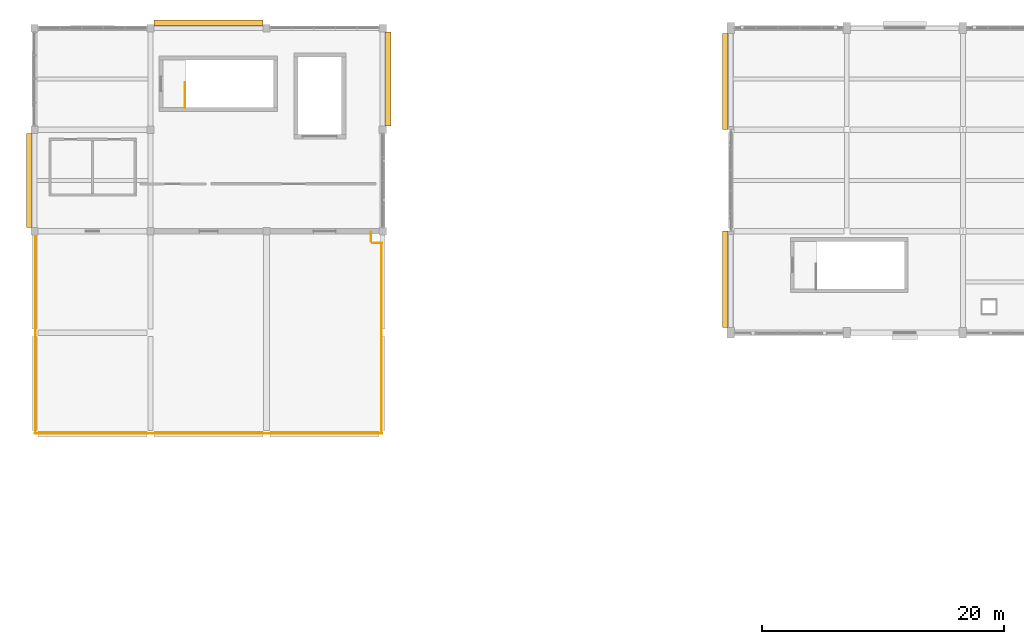
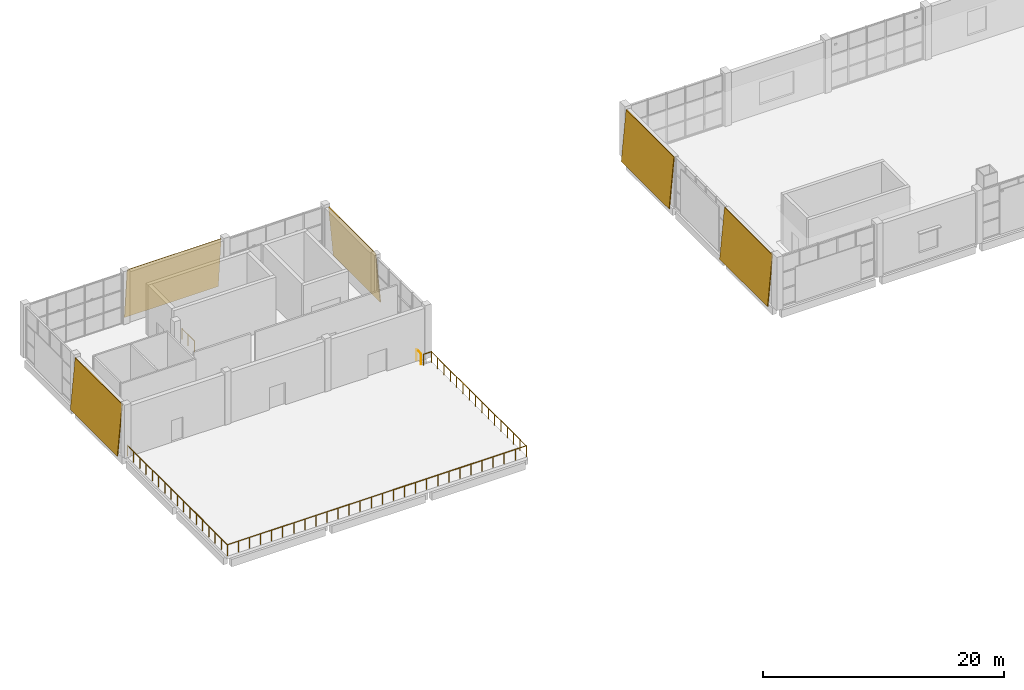
# One storey, part 53 of 57: 6 railings, 5 coverings.
"""IFC4 building model written with IfcOpenShell, lengths in metres."""

from ifc_helpers import new_model, si_unit, direction, frame, origin, origin_2d, place, context, subcontext, project, spatial, polyline, circle, outline, extrude, material, layer, layer_set, type_object, element, save


model = new_model("IFC4")

# Units and contexts
model_context = context("Model", 3, precision=1e-05, world=origin(), true_north=direction((0.0, 1.0)))
body_context = subcontext(model_context, "Body", "Model", "MODEL_VIEW")
ifc_project = project(units=[si_unit("LENGTHUNIT", "METRE"), si_unit("AREAUNIT", "SQUARE_METRE"), si_unit("VOLUMEUNIT", "CUBIC_METRE"), si_unit("PLANEANGLEUNIT", "RADIAN"), si_unit("MASSUNIT", "GRAM", prefix="KILO")], contexts=[model_context])

# Site, building, storey
site_placement = place(None, origin())
site = spatial("IfcSite", under=ifc_project, at=site_placement, CompositionType="ELEMENT")
building_placement = place(site_placement, origin())
building = spatial("IfcBuilding", under=site, at=building_placement, Name="Shalvenor Court Art Gallery", CompositionType="ELEMENT")
storey_placement = place(building_placement, frame((0.0, 0.0, 16.800048828125)))
storey = spatial("IfcBuildingStorey", under=building, at=storey_placement, Name="L03", CompositionType="ELEMENT", Elevation=16.800048828125)

# Coverings
ifc_material_1 = material(Name="Pale Mediterranean limestone cladding", Category="masonry")
ifc_layer_1 = layer(ifc_material_1, 0.080078125, Name="Pale Mediterranean limestone cladding")
ifc_layer_set_1 = layer_set([ifc_layer_1], Name="Pale Mediterranean limestone cladding")
covering_type_1 = type_object("IfcCoveringType", Name="CLD-01", PredefinedType="CLADDING", material=ifc_layer_set_1)
covering_1_placement = place(storey_placement, frame((56.92578125, 105.60009765625, 0.0), z_axis=(0.0, 0.0, 1.0), x_axis=(0.0, -1.0, 0.0)))
element("IfcCovering", 1, at=covering_1_placement, inside=storey, type_object=covering_type_1, Name="L03 V2 Tapered Limestone Cladding 39", PredefinedType="CLADDING", context=body_context, shape_type="SweptSolid", body=[
    extrude(outline(polyline([(0.0, 0.0), (7.9501953125, 0.0), (7.9501953125, 5.120849609375), (0.0, 5.120849609375), (0.0, 0.0)])), frame((0.0, 0.0, 0.0), z_axis=(0.0, -0.995884398616, 0.090632580198), x_axis=(1.0, 0.0, 0.0)), (0.0, 0.090632580198, -0.995884398616), 0.080322265625),
])
covering_2_placement = place(storey_placement, frame((56.92578125, 121.949951171875, 0.0), z_axis=(0.0, 0.0, 1.0), x_axis=(0.0, -1.0, 0.0)))
element("IfcCovering", 2, at=covering_2_placement, inside=storey, type_object=covering_type_1, Name="L03 V2 Tapered Limestone Cladding 40", PredefinedType="CLADDING", context=body_context, shape_type="SweptSolid", body=[
    extrude(outline(polyline([(0.0, 0.0), (7.949951171875, 0.0), (7.949951171875, 5.120849609375), (0.0, 5.120849609375), (0.0, 0.0)])), frame((0.0, 0.0, 0.0), z_axis=(0.0, -0.995884398616, 0.090632580198), x_axis=(1.0, 0.0, 0.0)), (0.0, 0.090632580198, -0.995884398616), 0.080322265625),
])
ifc_material_2 = material(Name="Honed Jerusalem limestone cladding", Category="masonry")
ifc_layer_2 = layer(ifc_material_2, 0.06494140625, Name="Honed Jerusalem limestone cladding")
ifc_layer_set_2 = layer_set([ifc_layer_2], Name="Honed Jerusalem limestone cladding")
covering_type_2 = type_object("IfcCoveringType", Name="CLD-02", PredefinedType="CLADDING", material=ifc_layer_set_2)
covering_3_placement = place(storey_placement, frame((18.89990234375, 123.07421875, 0.0), z_axis=(0.0, 0.0, 1.0), x_axis=(-1.0, 0.0, 0.0)))
element("IfcCovering", 3, at=covering_3_placement, inside=storey, type_object=covering_type_2, Name="L03 V5 Tapered Limestone Cladding 108", PredefinedType="CLADDING", context=body_context, shape_type="SweptSolid", body=[
    extrude(outline(polyline([(0.0, 0.0), (9.0, 0.0), (9.0, 5.120849609375), (0.0, 5.120849609375), (0.0, 0.0)])), frame((0.0, 0.0, 0.0), z_axis=(0.0, -0.995884398616, 0.090632580198), x_axis=(1.0, 0.0, 0.0)), (0.0, 0.090632580198, -0.995884398616), 0.080322265625),
])
for number, where, z_axis, x_axis, name in (
    (4, (29.47412109375, 114.300048828125, 0.0), (0.0, 0.0, 1.0), (0.0, 1.0, 0.0), "L03 V5 Tapered Limestone Cladding 109"),
    (5, (-0.674072265625, 113.699951171875, 0.0), (0.0, 0.0, 1.0), (0.0, -1.0, 0.0), "L03 V5 Tapered Limestone Cladding 110"),
):
    element("IfcCovering", number, at=place(storey_placement, frame(where, z_axis=z_axis, x_axis=x_axis)), inside=storey, type_object=covering_type_2, Name=name, PredefinedType="CLADDING", context=body_context, shape_type="SweptSolid", body=[
        extrude(outline(polyline([(0.0, 0.0), (7.800048828125, 0.0), (7.800048828125, 5.120849609375), (0.0, 5.120849609375), (0.0, 0.0)])), frame((0.0, 0.0, 0.0), z_axis=(0.0, -0.995884398616, 0.090632580198), x_axis=(1.0, 0.0, 0.0)), (0.0, 0.090632580198, -0.995884398616), 0.080322265625),
    ])

# Railings
ifc_material_3 = material(Name="Stainless steel and laminated glass balustrade", Category="steel")
railing_type_1 = type_object("IfcRailingType", Name="GR-01", PredefinedType="BALUSTRADE", material=ifc_material_3)
railing_1_placement = place(storey_placement, frame((28.739990234375, 88.8798828125, 0.0)))
element("IfcRailing", 6, at=railing_1_placement, inside=storey, type_object=railing_type_1, Name="L03 V5 Terrace Balustrade 56", PredefinedType="BALUSTRADE", context=body_context, shape_type="SweptSolid", body=[
    extrude(circle(Radius=0.02392578125, at=origin_2d()), frame((0.0, 0.0, 1.09619140625), z_axis=(-1.0, 0.0, 0.0), x_axis=(0.0, -1.0, 0.0)), (0.0, 0.0, 1.0), 28.679931640625),
    extrude(circle(Radius=0.02099609375, at=origin_2d()), origin(), (0.0, 0.0, 1.0), 1.072021484375),
    extrude(circle(Radius=0.02099609375, at=origin_2d()), frame((-1.062255859375, 0.0, 0.0)), (0.0, 0.0, 1.0), 1.072021484375),
    extrude(circle(Radius=0.02099609375, at=origin_2d()), frame((-2.12451171875, 0.0, 0.0)), (0.0, 0.0, 1.0), 1.072021484375),
    extrude(circle(Radius=0.02099609375, at=origin_2d()), frame((-3.186767578125, 0.0, 0.0)), (0.0, 0.0, 1.0), 1.072021484375),
    extrude(circle(Radius=0.02099609375, at=origin_2d()), frame((-4.248779296875, 0.0, 0.0)), (0.0, 0.0, 1.0), 1.072021484375),
    extrude(circle(Radius=0.02099609375, at=origin_2d()), frame((-5.31103515625, 0.0, 0.0)), (0.0, 0.0, 1.0), 1.072021484375),
    extrude(circle(Radius=0.02099609375, at=origin_2d()), frame((-6.373291015625, 0.0, 0.0)), (0.0, 0.0, 1.0), 1.072021484375),
    extrude(circle(Radius=0.02099609375, at=origin_2d()), frame((-7.435546875, 0.0, 0.0)), (0.0, 0.0, 1.0), 1.072021484375),
    extrude(circle(Radius=0.02099609375, at=origin_2d()), frame((-8.497802734375, 0.0, 0.0)), (0.0, 0.0, 1.0), 1.072021484375),
    extrude(circle(Radius=0.02099609375, at=origin_2d()), frame((-9.56005859375, 0.0, 0.0)), (0.0, 0.0, 1.0), 1.072021484375),
    extrude(circle(Radius=0.02099609375, at=origin_2d()), frame((-10.622314453125, 0.0, 0.0)), (0.0, 0.0, 1.0), 1.072021484375),
    extrude(circle(Radius=0.02099609375, at=origin_2d()), frame((-11.684326171875, 0.0, 0.0)), (0.0, 0.0, 1.0), 1.072021484375),
    extrude(circle(Radius=0.02099609375, at=origin_2d()), frame((-12.74658203125, 0.0, 0.0)), (0.0, 0.0, 1.0), 1.072021484375),
    extrude(circle(Radius=0.02099609375, at=origin_2d()), frame((-13.808837890625, 0.0, 0.0)), (0.0, 0.0, 1.0), 1.072021484375),
    extrude(circle(Radius=0.02099609375, at=origin_2d()), frame((-14.87109375, 0.0, 0.0)), (0.0, 0.0, 1.0), 1.072021484375),
    extrude(circle(Radius=0.02099609375, at=origin_2d()), frame((-15.933349609375, 0.0, 0.0)), (0.0, 0.0, 1.0), 1.072021484375),
    extrude(circle(Radius=0.02099609375, at=origin_2d()), frame((-16.99560546875, 0.0, 0.0)), (0.0, 0.0, 1.0), 1.072021484375),
    extrude(circle(Radius=0.02099609375, at=origin_2d()), frame((-18.0576171875, 0.0, 0.0)), (0.0, 0.0, 1.0), 1.072021484375),
    extrude(circle(Radius=0.02099609375, at=origin_2d()), frame((-19.119873046875, 0.0, 0.0)), (0.0, 0.0, 1.0), 1.072021484375),
    extrude(circle(Radius=0.02099609375, at=origin_2d()), frame((-20.18212890625, 0.0, 0.0)), (0.0, 0.0, 1.0), 1.072021484375),
    extrude(circle(Radius=0.02099609375, at=origin_2d()), frame((-21.244384765625, 0.0, 0.0)), (0.0, 0.0, 1.0), 1.072021484375),
    extrude(circle(Radius=0.02099609375, at=origin_2d()), frame((-22.306640625, 0.0, 0.0)), (0.0, 0.0, 1.0), 1.072021484375),
    extrude(circle(Radius=0.02099609375, at=origin_2d()), frame((-23.368896484375, 0.0, 0.0)), (0.0, 0.0, 1.0), 1.072021484375),
    extrude(circle(Radius=0.02099609375, at=origin_2d()), frame((-24.43115234375, 0.0, 0.0)), (0.0, 0.0, 1.0), 1.072021484375),
    extrude(circle(Radius=0.02099609375, at=origin_2d()), frame((-25.4931640625, 0.0, 0.0)), (0.0, 0.0, 1.0), 1.072021484375),
    extrude(circle(Radius=0.02099609375, at=origin_2d()), frame((-26.555419921875, 0.0, 0.0)), (0.0, 0.0, 1.0), 1.072021484375),
    extrude(circle(Radius=0.02099609375, at=origin_2d()), frame((-27.61767578125, 0.0, 0.0)), (0.0, 0.0, 1.0), 1.072021484375),
    extrude(circle(Radius=0.02099609375, at=origin_2d()), frame((-28.679931640625, 0.0, 0.0)), (0.0, 0.0, 1.0), 1.072021484375),
])
railing_2_placement = place(storey_placement, frame((0.080078125, 88.860107421875, 0.0)))
element("IfcRailing", 7, at=railing_2_placement, inside=storey, type_object=railing_type_1, Name="L03 V5 Terrace Balustrade 57", PredefinedType="BALUSTRADE", context=body_context, shape_type="SweptSolid", body=[
    extrude(circle(Radius=0.02392578125, at=origin_2d()), frame((0.0, 0.0, 1.09619140625), z_axis=(0.0, 1.0, 0.0), x_axis=(-1.0, 0.0, 0.0)), (0.0, 0.0, 1.0), 16.679931640625),
    extrude(circle(Radius=0.02099609375, at=origin_2d()), origin(), (0.0, 0.0, 1.0), 1.072021484375),
    extrude(circle(Radius=0.02099609375, at=origin_2d()), frame((0.0, 1.04248046875, 0.0)), (0.0, 0.0, 1.0), 1.072021484375),
    extrude(circle(Radius=0.02099609375, at=origin_2d()), frame((0.0, 2.0849609375, 0.0)), (0.0, 0.0, 1.0), 1.072021484375),
    extrude(circle(Radius=0.02099609375, at=origin_2d()), frame((0.0, 3.12744140625, 0.0)), (0.0, 0.0, 1.0), 1.072021484375),
    extrude(circle(Radius=0.02099609375, at=origin_2d()), frame((0.0, 4.169921875, 0.0)), (0.0, 0.0, 1.0), 1.072021484375),
    extrude(circle(Radius=0.02099609375, at=origin_2d()), frame((0.0, 5.21240234375, 0.0)), (0.0, 0.0, 1.0), 1.072021484375),
    extrude(circle(Radius=0.02099609375, at=origin_2d()), frame((0.0, 6.2548828125, 0.0)), (0.0, 0.0, 1.0), 1.072021484375),
    extrude(circle(Radius=0.02099609375, at=origin_2d()), frame((0.0, 7.29736328125, 0.0)), (0.0, 0.0, 1.0), 1.072021484375),
    extrude(circle(Radius=0.02099609375, at=origin_2d()), frame((0.0, 8.33984375, 0.0)), (0.0, 0.0, 1.0), 1.072021484375),
    extrude(circle(Radius=0.02099609375, at=origin_2d()), frame((0.0, 9.382568359375, 0.0)), (0.0, 0.0, 1.0), 1.072021484375),
    extrude(circle(Radius=0.02099609375, at=origin_2d()), frame((0.0, 10.425048828125, 0.0)), (0.0, 0.0, 1.0), 1.072021484375),
    extrude(circle(Radius=0.02099609375, at=origin_2d()), frame((0.0, 11.467529296875, 0.0)), (0.0, 0.0, 1.0), 1.072021484375),
    extrude(circle(Radius=0.02099609375, at=origin_2d()), frame((0.0, 12.510009765625, 0.0)), (0.0, 0.0, 1.0), 1.072021484375),
    extrude(circle(Radius=0.02099609375, at=origin_2d()), frame((0.0, 13.552490234375, 0.0)), (0.0, 0.0, 1.0), 1.072021484375),
    extrude(circle(Radius=0.02099609375, at=origin_2d()), frame((0.0, 14.594970703125, 0.0)), (0.0, 0.0, 1.0), 1.072021484375),
    extrude(circle(Radius=0.02099609375, at=origin_2d()), frame((0.0, 15.637451171875, 0.0)), (0.0, 0.0, 1.0), 1.072021484375),
    extrude(circle(Radius=0.02099609375, at=origin_2d()), frame((0.0, 16.679931640625, 0.0)), (0.0, 0.0, 1.0), 1.072021484375),
])
railing_3_placement = place(storey_placement, frame((27.820068359375, 105.5400390625, 0.0)))
element("IfcRailing", 8, at=railing_3_placement, inside=storey, type_object=railing_type_1, Name="L03 V5 Terrace Balustrade 58", PredefinedType="BALUSTRADE", context=body_context, shape_type="SweptSolid", body=[
    extrude(circle(Radius=0.02392578125, at=origin_2d()), frame((0.0, 0.0, 1.09619140625), z_axis=(0.0, -1.0, 0.0), x_axis=(1.0, 0.0, 0.0)), (0.0, 0.0, 1.0), 0.780029296875),
    extrude(circle(Radius=0.02099609375, at=origin_2d()), origin(), (0.0, 0.0, 1.0), 1.072021484375),
    extrude(circle(Radius=0.02099609375, at=origin_2d()), frame((0.0, -0.780029296875, 0.0)), (0.0, 0.0, 1.0), 1.072021484375),
])
railing_4_placement = place(storey_placement, frame((27.9599609375, 104.6201171875, 0.0)))
element("IfcRailing", 9, at=railing_4_placement, inside=storey, type_object=railing_type_1, Name="L03 V5 Terrace Balustrade 59", PredefinedType="BALUSTRADE", context=body_context, shape_type="SweptSolid", body=[
    extrude(circle(Radius=0.02392578125, at=origin_2d()), frame((0.0, 0.0, 1.09619140625), z_axis=(1.0, 0.0, 0.0), x_axis=(0.0, 1.0, 0.0)), (0.0, 0.0, 1.0), 0.780029296875),
    extrude(circle(Radius=0.02099609375, at=origin_2d()), origin(), (0.0, 0.0, 1.0), 1.072021484375),
    extrude(circle(Radius=0.02099609375, at=origin_2d()), frame((0.780029296875, 0.0, 0.0)), (0.0, 0.0, 1.0), 1.072021484375),
])
railing_5_placement = place(storey_placement, frame((28.719970703125, 104.639892578125, 0.0)))
element("IfcRailing", 10, at=railing_5_placement, inside=storey, type_object=railing_type_1, Name="L03 V5 Terrace Balustrade 60", PredefinedType="BALUSTRADE", context=body_context, shape_type="SweptSolid", body=[
    extrude(circle(Radius=0.02392578125, at=origin_2d()), frame((0.0, 0.0, 1.09619140625), z_axis=(0.0, -1.0, 0.0), x_axis=(1.0, 0.0, 0.0)), (0.0, 0.0, 1.0), 15.77978515625),
    extrude(circle(Radius=0.02099609375, at=origin_2d()), origin(), (0.0, 0.0, 1.0), 1.072021484375),
    extrude(circle(Radius=0.02099609375, at=origin_2d()), frame((0.0, -1.052001953125, 0.0)), (0.0, 0.0, 1.0), 1.072021484375),
    extrude(circle(Radius=0.02099609375, at=origin_2d()), frame((0.0, -2.10400390625, 0.0)), (0.0, 0.0, 1.0), 1.072021484375),
    extrude(circle(Radius=0.02099609375, at=origin_2d()), frame((0.0, -3.156005859375, 0.0)), (0.0, 0.0, 1.0), 1.072021484375),
    extrude(circle(Radius=0.02099609375, at=origin_2d()), frame((0.0, -4.2080078125, 0.0)), (0.0, 0.0, 1.0), 1.072021484375),
    extrude(circle(Radius=0.02099609375, at=origin_2d()), frame((0.0, -5.260009765625, 0.0)), (0.0, 0.0, 1.0), 1.072021484375),
    extrude(circle(Radius=0.02099609375, at=origin_2d()), frame((0.0, -6.31201171875, 0.0)), (0.0, 0.0, 1.0), 1.072021484375),
    extrude(circle(Radius=0.02099609375, at=origin_2d()), frame((0.0, -7.364013671875, 0.0)), (0.0, 0.0, 1.0), 1.072021484375),
    extrude(circle(Radius=0.02099609375, at=origin_2d()), frame((0.0, -8.415771484375, 0.0)), (0.0, 0.0, 1.0), 1.072021484375),
    extrude(circle(Radius=0.02099609375, at=origin_2d()), frame((0.0, -9.4677734375, 0.0)), (0.0, 0.0, 1.0), 1.072021484375),
    extrude(circle(Radius=0.02099609375, at=origin_2d()), frame((0.0, -10.519775390625, 0.0)), (0.0, 0.0, 1.0), 1.072021484375),
    extrude(circle(Radius=0.02099609375, at=origin_2d()), frame((0.0, -11.57177734375, 0.0)), (0.0, 0.0, 1.0), 1.072021484375),
    extrude(circle(Radius=0.02099609375, at=origin_2d()), frame((0.0, -12.623779296875, 0.0)), (0.0, 0.0, 1.0), 1.072021484375),
    extrude(circle(Radius=0.02099609375, at=origin_2d()), frame((0.0, -13.67578125, 0.0)), (0.0, 0.0, 1.0), 1.072021484375),
    extrude(circle(Radius=0.02099609375, at=origin_2d()), frame((0.0, -14.727783203125, 0.0)), (0.0, 0.0, 1.0), 1.072021484375),
    extrude(circle(Radius=0.02099609375, at=origin_2d()), frame((0.0, -15.77978515625, 0.0)), (0.0, 0.0, 1.0), 1.072021484375),
])
ifc_material_4 = material(Name="Painted steel post-and-rail guard", Category="steel")
railing_type_2 = type_object("IfcRailingType", Name="GR-02", PredefinedType="GUARDRAIL", material=ifc_material_4)
railing_6_placement = place(storey_placement, frame((12.449951171875, 115.800048828125, 0.0)))
element("IfcRailing", 11, at=railing_6_placement, inside=storey, type_object=railing_type_2, Name="L03 ST-06 Top Well Guard 1", PredefinedType="GUARDRAIL", context=body_context, shape_type="SweptSolid", body=[
    extrude(circle(Radius=0.02392578125, at=origin_2d()), frame((0.0, 0.0, 1.09619140625), z_axis=(0.0, 1.0, 0.0), x_axis=(-1.0, 0.0, 0.0)), (0.0, 0.0, 1.0), 2.099853515625),
    extrude(circle(Radius=0.02099609375, at=origin_2d()), origin(), (0.0, 0.0, 1.0), 1.072021484375),
    extrude(circle(Radius=0.02099609375, at=origin_2d()), frame((0.0, 1.0498046875, 0.0)), (0.0, 0.0, 1.0), 1.072021484375),
    extrude(circle(Radius=0.02099609375, at=origin_2d()), frame((0.0, 2.099853515625, 0.0)), (0.0, 0.0, 1.0), 1.072021484375),
])

save(model, "model.ifc")
